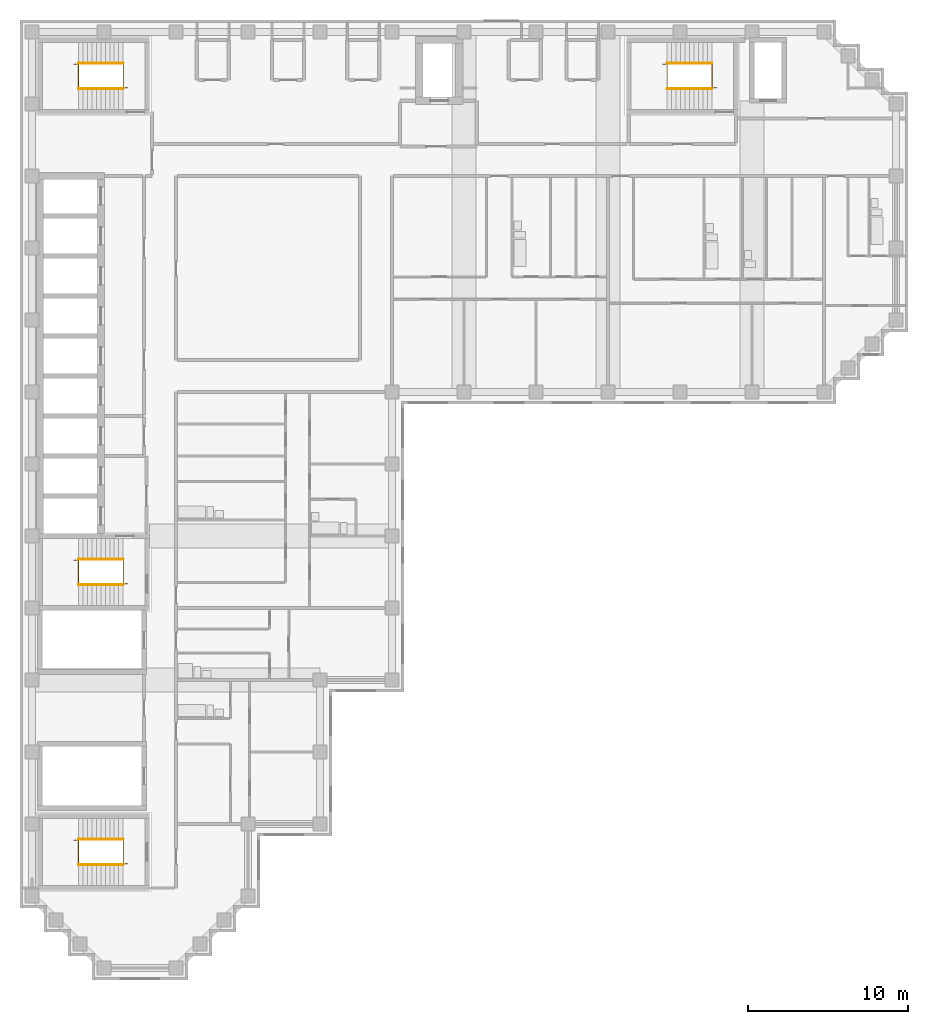
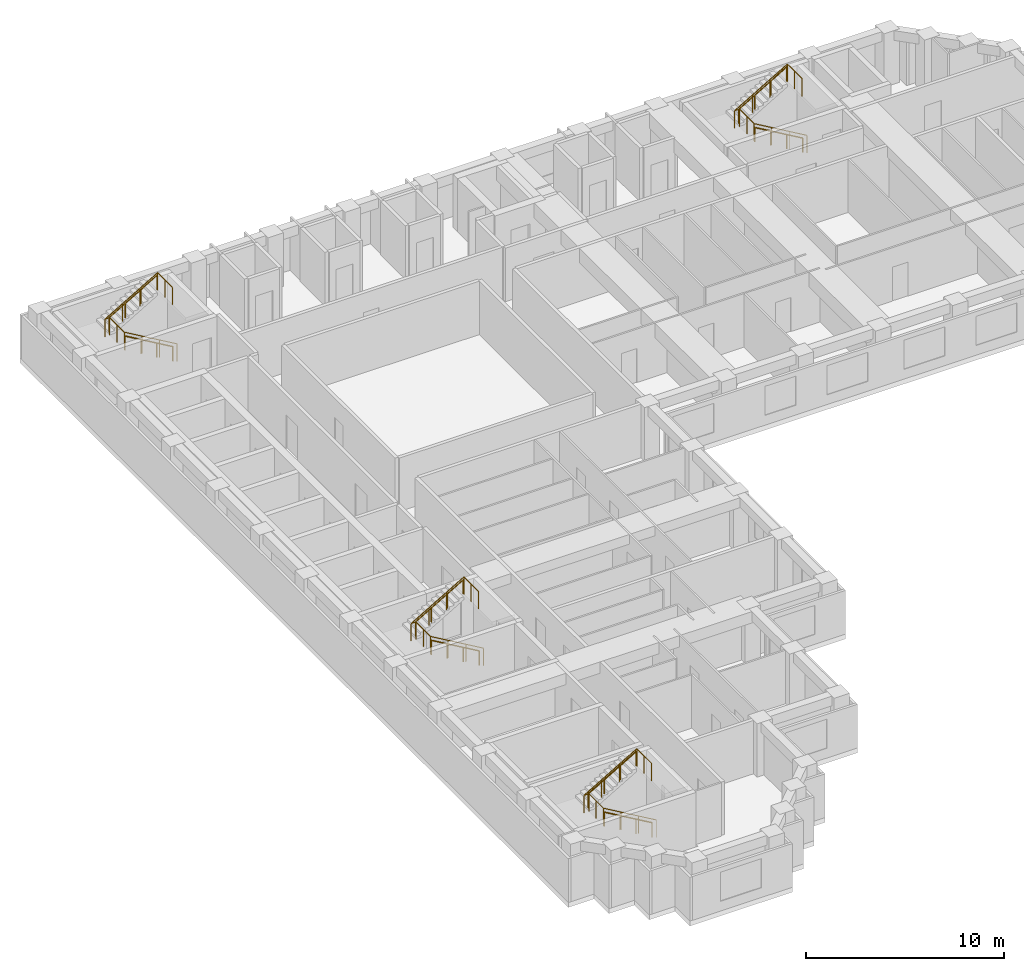
# One storey, part 9 of 10: 12 railings.
"""IFC4 building model written with IfcOpenShell, lengths in metres."""

from ifc_helpers import new_model, si_unit, direction, frame, origin, origin_2d, place, context, subcontext, project, spatial, circle, extrude, material, type_object, element, save


model = new_model("IFC4")

# Units and contexts
model_context = context("Model", 3, precision=1e-05, world=origin(), true_north=direction((0.0, 1.0)))
body_context = subcontext(model_context, "Body", "Model", "MODEL_VIEW")
ifc_project = project(units=[si_unit("LENGTHUNIT", "METRE"), si_unit("AREAUNIT", "SQUARE_METRE"), si_unit("VOLUMEUNIT", "CUBIC_METRE"), si_unit("PLANEANGLEUNIT", "RADIAN"), si_unit("MASSUNIT", "GRAM", prefix="KILO")], contexts=[model_context])

# Site, building, storey
site_placement = place(None, origin())
site = spatial("IfcSite", under=ifc_project, at=site_placement, CompositionType="ELEMENT")
building_placement = place(site_placement, origin())
building = spatial("IfcBuilding", under=site, at=building_placement, Name="Firuza Court", CompositionType="ELEMENT")
storey_placement = place(building_placement, frame((0.0, 0.0, 193.39990234375)))
storey = spatial("IfcBuildingStorey", under=building, at=storey_placement, Name="L49", CompositionType="ELEMENT", Elevation=193.39990234375)

# Railings
ifc_material_1 = material(Name="Steel S355", Category="steel")
railing_type_1 = type_object("IfcRailingType", Name="Handrail 900", PredefinedType="HANDRAIL", material=ifc_material_1)
railing_1_placement = place(storey_placement, frame((42.5, 54.949951171875, 0.163818359375)))
element("IfcRailing", 1, at=railing_1_placement, inside=storey, type_object=railing_type_1, Name="Handrail S1 flight 1", PredefinedType="HANDRAIL", context=body_context, shape_type="SweptSolid", body=[
    extrude(circle(Radius=0.02490234375, at=origin_2d()), frame((0.0, 0.0, 0.875), z_axis=(-0.863393664356, 0.0, 0.504530851732), x_axis=(0.0, -1.0, 0.0)), (0.0, 0.0, 1.0), 3.2431640625),
    extrude(circle(Radius=0.02001953125, at=origin_2d()), origin(), (0.0, 0.0, 1.0), 0.849853515625),
    extrude(circle(Radius=0.02001953125, at=origin_2d()), frame((-0.933349609375, 0.0, 0.54541015625)), (0.0, 0.0, 1.0), 0.849853515625),
    extrude(circle(Radius=0.02001953125, at=origin_2d()), frame((-1.86669921875, 0.0, 1.0908203125)), (0.0, 0.0, 1.0), 0.849853515625),
    extrude(circle(Radius=0.02001953125, at=origin_2d()), frame((-2.800048828125, 0.0, 1.63623046875)), (0.0, 0.0, 1.0), 0.849853515625),
])
railing_2_placement = place(storey_placement, frame((39.699951171875, 56.550048828125, 1.963623046875)))
element("IfcRailing", 2, at=railing_2_placement, inside=storey, type_object=railing_type_1, Name="Handrail S1 flight 2", PredefinedType="HANDRAIL", context=body_context, shape_type="SweptSolid", body=[
    extrude(circle(Radius=0.02490234375, at=origin_2d()), frame((0.0, 0.0, 0.875), z_axis=(0.863360870873, 0.0, 0.504586966384), x_axis=(0.0, 1.0, 0.0)), (0.0, 0.0, 1.0), 3.2431640625),
    extrude(circle(Radius=0.02001953125, at=origin_2d()), origin(), (0.0, 0.0, 1.0), 0.849853515625),
    extrude(circle(Radius=0.02001953125, at=origin_2d()), frame((0.933349609375, 0.0, 0.54541015625)), (0.0, 0.0, 1.0), 0.849853515625),
    extrude(circle(Radius=0.02001953125, at=origin_2d()), frame((1.86669921875, 0.0, 1.091064453125)), (0.0, 0.0, 1.0), 0.849853515625),
    extrude(circle(Radius=0.02001953125, at=origin_2d()), frame((2.800048828125, 0.0, 1.636474609375)), (0.0, 0.0, 1.0), 0.849853515625),
])
railing_3_placement = place(storey_placement, frame((5.699951171875, 23.949951171875, 0.163818359375)))
element("IfcRailing", 3, at=railing_3_placement, inside=storey, type_object=railing_type_1, Name="Handrail S2 flight 1", PredefinedType="HANDRAIL", context=body_context, shape_type="SweptSolid", body=[
    extrude(circle(Radius=0.02490234375, at=origin_2d()), frame((0.0, 0.0, 0.875), z_axis=(-0.863393664356, 0.0, 0.504530851732), x_axis=(0.0, -1.0, 0.0)), (0.0, 0.0, 1.0), 3.2431640625),
    extrude(circle(Radius=0.02001953125, at=origin_2d()), origin(), (0.0, 0.0, 1.0), 0.849853515625),
    extrude(circle(Radius=0.02001953125, at=origin_2d()), frame((-0.933349609375, 0.0, 0.54541015625)), (0.0, 0.0, 1.0), 0.849853515625),
    extrude(circle(Radius=0.02001953125, at=origin_2d()), frame((-1.86669921875, 0.0, 1.0908203125)), (0.0, 0.0, 1.0), 0.849853515625),
    extrude(circle(Radius=0.02001953125, at=origin_2d()), frame((-2.800048828125, 0.0, 1.63623046875)), (0.0, 0.0, 1.0), 0.849853515625),
])
railing_4_placement = place(storey_placement, frame((2.89990234375, 25.550048828125, 1.963623046875)))
element("IfcRailing", 4, at=railing_4_placement, inside=storey, type_object=railing_type_1, Name="Handrail S2 flight 2", PredefinedType="HANDRAIL", context=body_context, shape_type="SweptSolid", body=[
    extrude(circle(Radius=0.02490234375, at=origin_2d()), frame((0.0, 0.0, 0.875), z_axis=(0.863360870873, 0.0, 0.504586966384), x_axis=(0.0, 1.0, 0.0)), (0.0, 0.0, 1.0), 3.2431640625),
    extrude(circle(Radius=0.02001953125, at=origin_2d()), origin(), (0.0, 0.0, 1.0), 0.849853515625),
    extrude(circle(Radius=0.02001953125, at=origin_2d()), frame((0.933349609375, 0.0, 0.54541015625)), (0.0, 0.0, 1.0), 0.849853515625),
    extrude(circle(Radius=0.02001953125, at=origin_2d()), frame((1.86669921875, 0.0, 1.091064453125)), (0.0, 0.0, 1.0), 0.849853515625),
    extrude(circle(Radius=0.02001953125, at=origin_2d()), frame((2.800048828125, 0.0, 1.636474609375)), (0.0, 0.0, 1.0), 0.849853515625),
])
railing_5_placement = place(storey_placement, frame((5.699951171875, 54.949951171875, 0.163818359375)))
element("IfcRailing", 5, at=railing_5_placement, inside=storey, type_object=railing_type_1, Name="Handrail S3 flight 1", PredefinedType="HANDRAIL", context=body_context, shape_type="SweptSolid", body=[
    extrude(circle(Radius=0.02490234375, at=origin_2d()), frame((0.0, 0.0, 0.875), z_axis=(-0.863393664356, 0.0, 0.504530851732), x_axis=(0.0, -1.0, 0.0)), (0.0, 0.0, 1.0), 3.2431640625),
    extrude(circle(Radius=0.02001953125, at=origin_2d()), origin(), (0.0, 0.0, 1.0), 0.849853515625),
    extrude(circle(Radius=0.02001953125, at=origin_2d()), frame((-0.933349609375, 0.0, 0.54541015625)), (0.0, 0.0, 1.0), 0.849853515625),
    extrude(circle(Radius=0.02001953125, at=origin_2d()), frame((-1.86669921875, 0.0, 1.0908203125)), (0.0, 0.0, 1.0), 0.849853515625),
    extrude(circle(Radius=0.02001953125, at=origin_2d()), frame((-2.800048828125, 0.0, 1.63623046875)), (0.0, 0.0, 1.0), 0.849853515625),
])
railing_6_placement = place(storey_placement, frame((2.89990234375, 56.550048828125, 1.963623046875)))
element("IfcRailing", 6, at=railing_6_placement, inside=storey, type_object=railing_type_1, Name="Handrail S3 flight 2", PredefinedType="HANDRAIL", context=body_context, shape_type="SweptSolid", body=[
    extrude(circle(Radius=0.02490234375, at=origin_2d()), frame((0.0, 0.0, 0.875), z_axis=(0.863360870873, 0.0, 0.504586966384), x_axis=(0.0, 1.0, 0.0)), (0.0, 0.0, 1.0), 3.2431640625),
    extrude(circle(Radius=0.02001953125, at=origin_2d()), origin(), (0.0, 0.0, 1.0), 0.849853515625),
    extrude(circle(Radius=0.02001953125, at=origin_2d()), frame((0.933349609375, 0.0, 0.54541015625)), (0.0, 0.0, 1.0), 0.849853515625),
    extrude(circle(Radius=0.02001953125, at=origin_2d()), frame((1.86669921875, 0.0, 1.091064453125)), (0.0, 0.0, 1.0), 0.849853515625),
    extrude(circle(Radius=0.02001953125, at=origin_2d()), frame((2.800048828125, 0.0, 1.636474609375)), (0.0, 0.0, 1.0), 0.849853515625),
])
railing_7_placement = place(storey_placement, frame((5.699951171875, 6.449951171875, 0.163818359375)))
element("IfcRailing", 7, at=railing_7_placement, inside=storey, type_object=railing_type_1, Name="Handrail S5 flight 1", PredefinedType="HANDRAIL", context=body_context, shape_type="SweptSolid", body=[
    extrude(circle(Radius=0.02490234375, at=origin_2d()), frame((0.0, 0.0, 0.875), z_axis=(-0.863393664356, 0.0, 0.504530851732), x_axis=(0.0, -1.0, 0.0)), (0.0, 0.0, 1.0), 3.2431640625),
    extrude(circle(Radius=0.02001953125, at=origin_2d()), origin(), (0.0, 0.0, 1.0), 0.849853515625),
    extrude(circle(Radius=0.02001953125, at=origin_2d()), frame((-0.933349609375, 0.0, 0.54541015625)), (0.0, 0.0, 1.0), 0.849853515625),
    extrude(circle(Radius=0.02001953125, at=origin_2d()), frame((-1.86669921875, 0.0, 1.0908203125)), (0.0, 0.0, 1.0), 0.849853515625),
    extrude(circle(Radius=0.02001953125, at=origin_2d()), frame((-2.800048828125, 0.0, 1.63623046875)), (0.0, 0.0, 1.0), 0.849853515625),
])
railing_8_placement = place(storey_placement, frame((2.89990234375, 8.050048828125, 1.963623046875)))
element("IfcRailing", 8, at=railing_8_placement, inside=storey, type_object=railing_type_1, Name="Handrail S5 flight 2", PredefinedType="HANDRAIL", context=body_context, shape_type="SweptSolid", body=[
    extrude(circle(Radius=0.02490234375, at=origin_2d()), frame((0.0, 0.0, 0.875), z_axis=(0.863360870873, 0.0, 0.504586966384), x_axis=(0.0, 1.0, 0.0)), (0.0, 0.0, 1.0), 3.2431640625),
    extrude(circle(Radius=0.02001953125, at=origin_2d()), origin(), (0.0, 0.0, 1.0), 0.849853515625),
    extrude(circle(Radius=0.02001953125, at=origin_2d()), frame((0.933349609375, 0.0, 0.54541015625)), (0.0, 0.0, 1.0), 0.849853515625),
    extrude(circle(Radius=0.02001953125, at=origin_2d()), frame((1.86669921875, 0.0, 1.091064453125)), (0.0, 0.0, 1.0), 0.849853515625),
    extrude(circle(Radius=0.02001953125, at=origin_2d()), frame((2.800048828125, 0.0, 1.636474609375)), (0.0, 0.0, 1.0), 0.849853515625),
])
ifc_material_2 = material(Name="Steel S355", Category="steel")
railing_type_2 = type_object("IfcRailingType", Name="Stair guard 1100", PredefinedType="GUARDRAIL", material=ifc_material_2)
railing_9_placement = place(storey_placement, frame((42.780029296875, 55.010009765625, 0.0)))
element("IfcRailing", 9, at=railing_9_placement, inside=storey, type_object=railing_type_2, Name="Stair well guard S1", PredefinedType="GUARDRAIL", context=body_context, shape_type="SweptSolid", body=[
    extrude(circle(Radius=0.02490234375, at=origin_2d()), frame((0.0, 0.0, 1.0751953125), z_axis=(-0.863371556955, 0.0, 0.504568681787), x_axis=(0.0, -1.0, 0.0)), (0.0, 0.0, 1.0), 3.5673828125),
    extrude(circle(Radius=0.02490234375, at=origin_2d()), frame((-3.080078125, 0.0, 2.875), z_axis=(0.0, 1.0, 0.0), x_axis=(-1.0, 0.0, 0.0)), (0.0, 0.0, 1.0), 1.47998046875),
    extrude(circle(Radius=0.02490234375, at=origin_2d()), frame((-3.080078125, 1.47998046875, 2.875), z_axis=(-1.0, 0.0, 0.0), x_axis=(0.0, -1.0, 0.0)), (0.0, 0.0, 1.0), 0.280029296875),
    extrude(circle(Radius=0.02490234375, at=origin_2d()), frame((-3.360107421875, 1.47998046875, 2.875), z_axis=(0.863371556955, 0.0, 0.504568681787), x_axis=(0.0, 1.0, 0.0)), (0.0, 0.0, 1.0), 3.5673828125),
    extrude(circle(Radius=0.02490234375, at=origin_2d()), frame((-0.280029296875, 1.47998046875, 4.67529296875), z_axis=(0.0, -1.0, 0.0), x_axis=(1.0, 0.0, 0.0)), (0.0, 0.0, 1.0), 1.47998046875),
    extrude(circle(Radius=0.02490234375, at=origin_2d()), origin(), (0.0, 0.0, 1.0), 1.050048828125),
    extrude(circle(Radius=0.02490234375, at=origin_2d()), frame((-1.026611328125, 0.0, 0.60009765625)), (0.0, 0.0, 1.0), 1.050048828125),
    extrude(circle(Radius=0.02490234375, at=origin_2d()), frame((-2.053466796875, 0.0, 1.199951171875)), (0.0, 0.0, 1.0), 1.050048828125),
    extrude(circle(Radius=0.02490234375, at=origin_2d()), frame((-3.080078125, 0.0, 1.800048828125)), (0.0, 0.0, 1.0), 1.050048828125),
    extrude(circle(Radius=0.02490234375, at=origin_2d()), frame((-3.080078125, 0.739990234375, 1.800048828125)), (0.0, 0.0, 1.0), 1.050048828125),
    extrude(circle(Radius=0.02490234375, at=origin_2d()), frame((-3.080078125, 1.47998046875, 1.800048828125)), (0.0, 0.0, 1.0), 1.050048828125),
    extrude(circle(Radius=0.02490234375, at=origin_2d()), frame((-3.360107421875, 1.47998046875, 1.800048828125)), (0.0, 0.0, 1.0), 1.050048828125),
    extrude(circle(Radius=0.02490234375, at=origin_2d()), frame((-2.33349609375, 1.47998046875, 2.400146484375)), (0.0, 0.0, 1.0), 1.050048828125),
    extrude(circle(Radius=0.02490234375, at=origin_2d()), frame((-1.306640625, 1.47998046875, 3.0)), (0.0, 0.0, 1.0), 1.050048828125),
    extrude(circle(Radius=0.02490234375, at=origin_2d()), frame((-0.280029296875, 1.47998046875, 3.60009765625)), (0.0, 0.0, 1.0), 1.050048828125),
    extrude(circle(Radius=0.02490234375, at=origin_2d()), frame((-0.280029296875, 0.739990234375, 3.60009765625)), (0.0, 0.0, 1.0), 1.050048828125),
    extrude(circle(Radius=0.02490234375, at=origin_2d()), frame((-0.280029296875, 0.0, 3.60009765625)), (0.0, 0.0, 1.0), 1.050048828125),
])
railing_10_placement = place(storey_placement, frame((5.97998046875, 24.010009765625, 0.0)))
element("IfcRailing", 10, at=railing_10_placement, inside=storey, type_object=railing_type_2, Name="Stair well guard S2", PredefinedType="GUARDRAIL", context=body_context, shape_type="SweptSolid", body=[
    extrude(circle(Radius=0.02490234375, at=origin_2d()), frame((0.0, 0.0, 1.0751953125), z_axis=(-0.863371556955, 0.0, 0.504568681787), x_axis=(0.0, -1.0, 0.0)), (0.0, 0.0, 1.0), 3.5673828125),
    extrude(circle(Radius=0.02490234375, at=origin_2d()), frame((-3.080078125, 0.0, 2.875), z_axis=(0.0, 1.0, 0.0), x_axis=(-1.0, 0.0, 0.0)), (0.0, 0.0, 1.0), 1.47998046875),
    extrude(circle(Radius=0.02490234375, at=origin_2d()), frame((-3.080078125, 1.47998046875, 2.875), z_axis=(-1.0, 0.0, 0.0), x_axis=(0.0, -1.0, 0.0)), (0.0, 0.0, 1.0), 0.27978515625),
    extrude(circle(Radius=0.02490234375, at=origin_2d()), frame((-3.35986328125, 1.47998046875, 2.875), z_axis=(0.863354132664, 0.0, 0.504598495452), x_axis=(0.0, 1.0, 0.0)), (0.0, 0.0, 1.0), 3.5673828125),
    extrude(circle(Radius=0.02490234375, at=origin_2d()), frame((-0.280029296875, 1.47998046875, 4.67529296875), z_axis=(0.0, -1.0, 0.0), x_axis=(1.0, 0.0, 0.0)), (0.0, 0.0, 1.0), 1.47998046875),
    extrude(circle(Radius=0.02490234375, at=origin_2d()), origin(), (0.0, 0.0, 1.0), 1.050048828125),
    extrude(circle(Radius=0.02490234375, at=origin_2d()), frame((-1.026611328125, 0.0, 0.60009765625)), (0.0, 0.0, 1.0), 1.050048828125),
    extrude(circle(Radius=0.02490234375, at=origin_2d()), frame((-2.053466796875, 0.0, 1.199951171875)), (0.0, 0.0, 1.0), 1.050048828125),
    extrude(circle(Radius=0.02490234375, at=origin_2d()), frame((-3.080078125, 0.0, 1.800048828125)), (0.0, 0.0, 1.0), 1.050048828125),
    extrude(circle(Radius=0.02490234375, at=origin_2d()), frame((-3.080078125, 0.739990234375, 1.800048828125)), (0.0, 0.0, 1.0), 1.050048828125),
    extrude(circle(Radius=0.02490234375, at=origin_2d()), frame((-3.080078125, 1.47998046875, 1.800048828125)), (0.0, 0.0, 1.0), 1.050048828125),
    extrude(circle(Radius=0.02490234375, at=origin_2d()), frame((-3.35986328125, 1.47998046875, 1.800048828125)), (0.0, 0.0, 1.0), 1.050048828125),
    extrude(circle(Radius=0.02490234375, at=origin_2d()), frame((-2.333251953125, 1.47998046875, 2.400146484375)), (0.0, 0.0, 1.0), 1.050048828125),
    extrude(circle(Radius=0.02490234375, at=origin_2d()), frame((-1.306640625, 1.47998046875, 3.0)), (0.0, 0.0, 1.0), 1.050048828125),
    extrude(circle(Radius=0.02490234375, at=origin_2d()), frame((-0.280029296875, 1.47998046875, 3.60009765625)), (0.0, 0.0, 1.0), 1.050048828125),
    extrude(circle(Radius=0.02490234375, at=origin_2d()), frame((-0.280029296875, 0.739990234375, 3.60009765625)), (0.0, 0.0, 1.0), 1.050048828125),
    extrude(circle(Radius=0.02490234375, at=origin_2d()), frame((-0.280029296875, 0.0, 3.60009765625)), (0.0, 0.0, 1.0), 1.050048828125),
])
railing_11_placement = place(storey_placement, frame((5.97998046875, 55.010009765625, 0.0)))
element("IfcRailing", 11, at=railing_11_placement, inside=storey, type_object=railing_type_2, Name="Stair well guard S3", PredefinedType="GUARDRAIL", context=body_context, shape_type="SweptSolid", body=[
    extrude(circle(Radius=0.02490234375, at=origin_2d()), frame((0.0, 0.0, 1.0751953125), z_axis=(-0.863371556955, 0.0, 0.504568681787), x_axis=(0.0, -1.0, 0.0)), (0.0, 0.0, 1.0), 3.5673828125),
    extrude(circle(Radius=0.02490234375, at=origin_2d()), frame((-3.080078125, 0.0, 2.875), z_axis=(0.0, 1.0, 0.0), x_axis=(-1.0, 0.0, 0.0)), (0.0, 0.0, 1.0), 1.47998046875),
    extrude(circle(Radius=0.02490234375, at=origin_2d()), frame((-3.080078125, 1.47998046875, 2.875), z_axis=(-1.0, 0.0, 0.0), x_axis=(0.0, -1.0, 0.0)), (0.0, 0.0, 1.0), 0.27978515625),
    extrude(circle(Radius=0.02490234375, at=origin_2d()), frame((-3.35986328125, 1.47998046875, 2.875), z_axis=(0.863354132664, 0.0, 0.504598495452), x_axis=(0.0, 1.0, 0.0)), (0.0, 0.0, 1.0), 3.5673828125),
    extrude(circle(Radius=0.02490234375, at=origin_2d()), frame((-0.280029296875, 1.47998046875, 4.67529296875), z_axis=(0.0, -1.0, 0.0), x_axis=(1.0, 0.0, 0.0)), (0.0, 0.0, 1.0), 1.47998046875),
    extrude(circle(Radius=0.02490234375, at=origin_2d()), origin(), (0.0, 0.0, 1.0), 1.050048828125),
    extrude(circle(Radius=0.02490234375, at=origin_2d()), frame((-1.026611328125, 0.0, 0.60009765625)), (0.0, 0.0, 1.0), 1.050048828125),
    extrude(circle(Radius=0.02490234375, at=origin_2d()), frame((-2.053466796875, 0.0, 1.199951171875)), (0.0, 0.0, 1.0), 1.050048828125),
    extrude(circle(Radius=0.02490234375, at=origin_2d()), frame((-3.080078125, 0.0, 1.800048828125)), (0.0, 0.0, 1.0), 1.050048828125),
    extrude(circle(Radius=0.02490234375, at=origin_2d()), frame((-3.080078125, 0.739990234375, 1.800048828125)), (0.0, 0.0, 1.0), 1.050048828125),
    extrude(circle(Radius=0.02490234375, at=origin_2d()), frame((-3.080078125, 1.47998046875, 1.800048828125)), (0.0, 0.0, 1.0), 1.050048828125),
    extrude(circle(Radius=0.02490234375, at=origin_2d()), frame((-3.35986328125, 1.47998046875, 1.800048828125)), (0.0, 0.0, 1.0), 1.050048828125),
    extrude(circle(Radius=0.02490234375, at=origin_2d()), frame((-2.333251953125, 1.47998046875, 2.400146484375)), (0.0, 0.0, 1.0), 1.050048828125),
    extrude(circle(Radius=0.02490234375, at=origin_2d()), frame((-1.306640625, 1.47998046875, 3.0)), (0.0, 0.0, 1.0), 1.050048828125),
    extrude(circle(Radius=0.02490234375, at=origin_2d()), frame((-0.280029296875, 1.47998046875, 3.60009765625)), (0.0, 0.0, 1.0), 1.050048828125),
    extrude(circle(Radius=0.02490234375, at=origin_2d()), frame((-0.280029296875, 0.739990234375, 3.60009765625)), (0.0, 0.0, 1.0), 1.050048828125),
    extrude(circle(Radius=0.02490234375, at=origin_2d()), frame((-0.280029296875, 0.0, 3.60009765625)), (0.0, 0.0, 1.0), 1.050048828125),
])
railing_12_placement = place(storey_placement, frame((5.97998046875, 6.510009765625, 0.0)))
element("IfcRailing", 12, at=railing_12_placement, inside=storey, type_object=railing_type_2, Name="Stair well guard S5", PredefinedType="GUARDRAIL", context=body_context, shape_type="SweptSolid", body=[
    extrude(circle(Radius=0.02490234375, at=origin_2d()), frame((0.0, 0.0, 1.0751953125), z_axis=(-0.863371556955, 0.0, 0.504568681787), x_axis=(0.0, -1.0, 0.0)), (0.0, 0.0, 1.0), 3.5673828125),
    extrude(circle(Radius=0.02490234375, at=origin_2d()), frame((-3.080078125, 0.0, 2.875), z_axis=(0.0, 1.0, 0.0), x_axis=(-1.0, 0.0, 0.0)), (0.0, 0.0, 1.0), 1.47998046875),
    extrude(circle(Radius=0.02490234375, at=origin_2d()), frame((-3.080078125, 1.47998046875, 2.875), z_axis=(-1.0, 0.0, 0.0), x_axis=(0.0, -1.0, 0.0)), (0.0, 0.0, 1.0), 0.27978515625),
    extrude(circle(Radius=0.02490234375, at=origin_2d()), frame((-3.35986328125, 1.47998046875, 2.875), z_axis=(0.863354132664, 0.0, 0.504598495452), x_axis=(0.0, 1.0, 0.0)), (0.0, 0.0, 1.0), 3.5673828125),
    extrude(circle(Radius=0.02490234375, at=origin_2d()), frame((-0.280029296875, 1.47998046875, 4.67529296875), z_axis=(0.0, -1.0, 0.0), x_axis=(1.0, 0.0, 0.0)), (0.0, 0.0, 1.0), 1.47998046875),
    extrude(circle(Radius=0.02490234375, at=origin_2d()), origin(), (0.0, 0.0, 1.0), 1.050048828125),
    extrude(circle(Radius=0.02490234375, at=origin_2d()), frame((-1.026611328125, 0.0, 0.60009765625)), (0.0, 0.0, 1.0), 1.050048828125),
    extrude(circle(Radius=0.02490234375, at=origin_2d()), frame((-2.053466796875, 0.0, 1.199951171875)), (0.0, 0.0, 1.0), 1.050048828125),
    extrude(circle(Radius=0.02490234375, at=origin_2d()), frame((-3.080078125, 0.0, 1.800048828125)), (0.0, 0.0, 1.0), 1.050048828125),
    extrude(circle(Radius=0.02490234375, at=origin_2d()), frame((-3.080078125, 0.739990234375, 1.800048828125)), (0.0, 0.0, 1.0), 1.050048828125),
    extrude(circle(Radius=0.02490234375, at=origin_2d()), frame((-3.080078125, 1.47998046875, 1.800048828125)), (0.0, 0.0, 1.0), 1.050048828125),
    extrude(circle(Radius=0.02490234375, at=origin_2d()), frame((-3.35986328125, 1.47998046875, 1.800048828125)), (0.0, 0.0, 1.0), 1.050048828125),
    extrude(circle(Radius=0.02490234375, at=origin_2d()), frame((-2.333251953125, 1.47998046875, 2.400146484375)), (0.0, 0.0, 1.0), 1.050048828125),
    extrude(circle(Radius=0.02490234375, at=origin_2d()), frame((-1.306640625, 1.47998046875, 3.0)), (0.0, 0.0, 1.0), 1.050048828125),
    extrude(circle(Radius=0.02490234375, at=origin_2d()), frame((-0.280029296875, 1.47998046875, 3.60009765625)), (0.0, 0.0, 1.0), 1.050048828125),
    extrude(circle(Radius=0.02490234375, at=origin_2d()), frame((-0.280029296875, 0.739990234375, 3.60009765625)), (0.0, 0.0, 1.0), 1.050048828125),
    extrude(circle(Radius=0.02490234375, at=origin_2d()), frame((-0.280029296875, 0.0, 3.60009765625)), (0.0, 0.0, 1.0), 1.050048828125),
])

save(model, "model.ifc")
